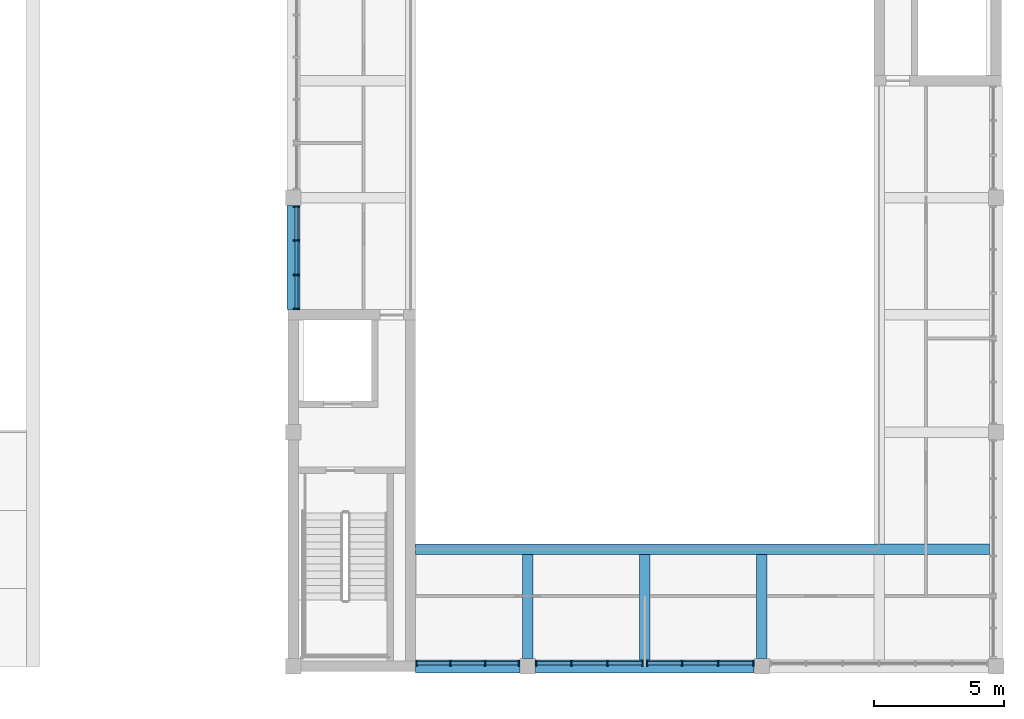
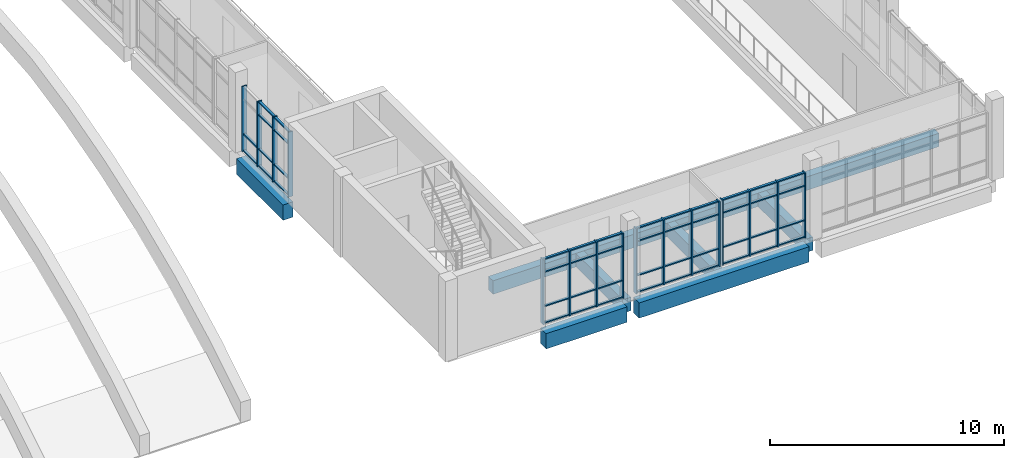
# One storey, part 4 of 88: 62 members, 7 beams, 4 elements without a shape of their own.
"""IFC4 building model written with IfcOpenShell, lengths in metres."""

from ifc_helpers import new_model, si_unit, direction, frame, origin, origin_2d, place, context, subcontext, project, spatial, rectangle, extrude, material, material_profile, profile_set, type_object, element, aggregate, save


model = new_model("IFC4")

# Units and contexts
model_context = context("Model", 3, precision=1e-05, world=origin(), true_north=direction((0.0, 1.0)))
body_context = subcontext(model_context, "Body", "Model", "MODEL_VIEW")
ifc_project = project(units=[si_unit("LENGTHUNIT", "METRE"), si_unit("AREAUNIT", "SQUARE_METRE"), si_unit("VOLUMEUNIT", "CUBIC_METRE"), si_unit("PLANEANGLEUNIT", "RADIAN"), si_unit("MASSUNIT", "GRAM", prefix="KILO")], contexts=[model_context])

# Site, building, storey
site_placement = place(None, origin())
site = spatial("IfcSite", under=ifc_project, at=site_placement, CompositionType="ELEMENT")
building_placement = place(site_placement, origin())
building = spatial("IfcBuilding", under=site, at=building_placement, Name="Merrow Basin Faculty of Sciences", CompositionType="ELEMENT")
storey_placement = place(building_placement, frame((0.0, 0.0, 9.0)))
storey = spatial("IfcBuildingStorey", under=building, at=storey_placement, Name="L02", CompositionType="ELEMENT", Elevation=9.0)

# Curtain wall, members
ifc_material_1 = material(Name="Aluminium alloy 6063", Category="aluminium")
curtain_wall_type = type_object("IfcCurtainWallType", Name="Atrium unitised curtain wall 240", PredefinedType="NOTDEFINED", material=ifc_material_1)
curtain_wall_1_placement = place(storey_placement, origin())
curtain_wall_1 = element("IfcCurtainWall", 1, at=curtain_wall_1_placement, inside=storey, type_object=curtain_wall_type, Name="W curtain wall L02 1", PredefinedType="NOTDEFINED")
ifc_material_2 = material(Name="Aluminium alloy 6063", Category="aluminium")
ifc_material_profile_1 = material_profile(ifc_material_2, rectangle(XDim=0.239990234375, YDim=0.06005859375, at=origin_2d()))
ifc_profile_set_1 = profile_set([ifc_material_profile_1], Name="Aluminium alloy 6063")
member_type_1 = type_object("IfcMemberType", Name="Aluminium mullion 60x240", PredefinedType="MULLION", material=ifc_profile_set_1)
member_1_placement = place(storey_placement, frame((45.1201171875, 13.72998046875, 0.0), z_axis=(0.0, 0.0, 1.0), x_axis=(-1.0, 0.0, 0.0)))
member_1 = element("IfcMember", 2, at=member_1_placement, type_object=member_type_1, Name="CW5 mullion 1", PredefinedType="MULLION", context=body_context, shape_type="SweptSolid", body=[
    extrude(rectangle(XDim=0.239990234375, YDim=0.06005859375, at=origin_2d()), origin(), (0.0, 0.0, 1.0), 3.39990234375),
])
member_2_placement = place(storey_placement, frame((45.1201171875, 15.033447265625, 0.0), z_axis=(0.0, 0.0, 1.0), x_axis=(-1.0, 0.0, 0.0)))
member_2 = element("IfcMember", 3, at=member_2_placement, type_object=member_type_1, Name="CW5 mullion 2", PredefinedType="MULLION", context=body_context, shape_type="SweptSolid", body=[
    extrude(rectangle(XDim=0.239990234375, YDim=0.06005859375, at=origin_2d()), origin(), (0.0, 0.0, 1.0), 3.39990234375),
])
member_3_placement = place(storey_placement, frame((45.1201171875, 16.36669921875, 0.0), z_axis=(0.0, 0.0, 1.0), x_axis=(-1.0, 0.0, 0.0)))
member_3 = element("IfcMember", 4, at=member_3_placement, type_object=member_type_1, Name="CW5 mullion 3", PredefinedType="MULLION", context=body_context, shape_type="SweptSolid", body=[
    extrude(rectangle(XDim=0.239990234375, YDim=0.06005859375, at=origin_2d()), origin(), (0.0, 0.0, 1.0), 3.39990234375),
])
member_4_placement = place(storey_placement, frame((45.1201171875, 17.669921875, 0.0), z_axis=(0.0, 0.0, 1.0), x_axis=(-1.0, 0.0, 0.0)))
member_4 = element("IfcMember", 5, at=member_4_placement, type_object=member_type_1, Name="CW5 mullion 4", PredefinedType="MULLION", context=body_context, shape_type="SweptSolid", body=[
    extrude(rectangle(XDim=0.239990234375, YDim=0.06005859375, at=origin_2d()), origin(), (0.0, 0.0, 1.0), 3.39990234375),
])

curtain_wall_2_placement = place(storey_placement, origin())
curtain_wall_2 = element("IfcCurtainWall", 6, at=curtain_wall_2_placement, inside=storey, type_object=curtain_wall_type, Name="S curtain wall L02 1", PredefinedType="NOTDEFINED")
member_5_placement = place(storey_placement, frame((49.72998046875, 0.1201171875, 0.0), z_axis=(0.0, 0.0, 1.0), x_axis=(0.0, 1.0, 0.0)))
member_5 = element("IfcMember", 7, at=member_5_placement, type_object=member_type_1, Name="CW5 mullion 1", PredefinedType="MULLION", context=body_context, shape_type="SweptSolid", body=[
    extrude(rectangle(XDim=0.239990234375, YDim=0.06005859375, at=origin_2d()), origin(), (0.0, 0.0, 1.0), 3.39990234375),
])
member_6_placement = place(storey_placement, frame((51.033447265625, 0.1201171875, 0.0), z_axis=(0.0, 0.0, 1.0), x_axis=(0.0, 1.0, 0.0)))
member_6 = element("IfcMember", 8, at=member_6_placement, type_object=member_type_1, Name="CW5 mullion 2", PredefinedType="MULLION", context=body_context, shape_type="SweptSolid", body=[
    extrude(rectangle(XDim=0.239990234375, YDim=0.06005859375, at=origin_2d()), origin(), (0.0, 0.0, 1.0), 3.39990234375),
])
member_7_placement = place(storey_placement, frame((52.36669921875, 0.1201171875, 0.0), z_axis=(0.0, 0.0, 1.0), x_axis=(0.0, 1.0, 0.0)))
member_7 = element("IfcMember", 9, at=member_7_placement, type_object=member_type_1, Name="CW5 mullion 3", PredefinedType="MULLION", context=body_context, shape_type="SweptSolid", body=[
    extrude(rectangle(XDim=0.239990234375, YDim=0.06005859375, at=origin_2d()), origin(), (0.0, 0.0, 1.0), 3.39990234375),
])
member_8_placement = place(storey_placement, frame((53.669921875, 0.1201171875, 0.0), z_axis=(0.0, 0.0, 1.0), x_axis=(0.0, 1.0, 0.0)))
member_8 = element("IfcMember", 10, at=member_8_placement, type_object=member_type_1, Name="CW5 mullion 4", PredefinedType="MULLION", context=body_context, shape_type="SweptSolid", body=[
    extrude(rectangle(XDim=0.239990234375, YDim=0.06005859375, at=origin_2d()), origin(), (0.0, 0.0, 1.0), 3.39990234375),
])

curtain_wall_3_placement = place(storey_placement, origin())
curtain_wall_3 = element("IfcCurtainWall", 11, at=curtain_wall_3_placement, inside=storey, type_object=curtain_wall_type, Name="S curtain wall L02 2", PredefinedType="NOTDEFINED")
member_9_placement = place(storey_placement, frame((54.330078125, 0.1201171875, 0.0), z_axis=(0.0, 0.0, 1.0), x_axis=(0.0, 1.0, 0.0)))
member_9 = element("IfcMember", 12, at=member_9_placement, type_object=member_type_1, Name="CW5 mullion 1", PredefinedType="MULLION", context=body_context, shape_type="SweptSolid", body=[
    extrude(rectangle(XDim=0.239990234375, YDim=0.06005859375, at=origin_2d()), origin(), (0.0, 0.0, 1.0), 3.39990234375),
])
member_10_placement = place(storey_placement, frame((55.683349609375, 0.1201171875, 0.0), z_axis=(0.0, 0.0, 1.0), x_axis=(0.0, 1.0, 0.0)))
member_10 = element("IfcMember", 13, at=member_10_placement, type_object=member_type_1, Name="CW5 mullion 2", PredefinedType="MULLION", context=body_context, shape_type="SweptSolid", body=[
    extrude(rectangle(XDim=0.239990234375, YDim=0.06005859375, at=origin_2d()), origin(), (0.0, 0.0, 1.0), 3.39990234375),
])
member_11_placement = place(storey_placement, frame((57.066650390625, 0.1201171875, 0.0), z_axis=(0.0, 0.0, 1.0), x_axis=(0.0, 1.0, 0.0)))
member_11 = element("IfcMember", 14, at=member_11_placement, type_object=member_type_1, Name="CW5 mullion 3", PredefinedType="MULLION", context=body_context, shape_type="SweptSolid", body=[
    extrude(rectangle(XDim=0.239990234375, YDim=0.06005859375, at=origin_2d()), origin(), (0.0, 0.0, 1.0), 3.39990234375),
])
member_12_placement = place(storey_placement, frame((58.419921875, 0.1201171875, 0.0), z_axis=(0.0, 0.0, 1.0), x_axis=(0.0, 1.0, 0.0)))
member_12 = element("IfcMember", 15, at=member_12_placement, type_object=member_type_1, Name="CW5 mullion 4", PredefinedType="MULLION", context=body_context, shape_type="SweptSolid", body=[
    extrude(rectangle(XDim=0.239990234375, YDim=0.06005859375, at=origin_2d()), origin(), (0.0, 0.0, 1.0), 3.39990234375),
])

curtain_wall_4_placement = place(storey_placement, origin())
curtain_wall_4 = element("IfcCurtainWall", 16, at=curtain_wall_4_placement, inside=storey, type_object=curtain_wall_type, Name="S curtain wall L02 3", PredefinedType="NOTDEFINED")
member_13_placement = place(storey_placement, frame((58.580078125, 0.1201171875, 0.0), z_axis=(0.0, 0.0, 1.0), x_axis=(0.0, 1.0, 0.0)))
member_13 = element("IfcMember", 17, at=member_13_placement, type_object=member_type_1, Name="CW5 mullion 1", PredefinedType="MULLION", context=body_context, shape_type="SweptSolid", body=[
    extrude(rectangle(XDim=0.239990234375, YDim=0.06005859375, at=origin_2d()), origin(), (0.0, 0.0, 1.0), 3.39990234375),
])
member_14_placement = place(storey_placement, frame((59.933349609375, 0.1201171875, 0.0), z_axis=(0.0, 0.0, 1.0), x_axis=(0.0, 1.0, 0.0)))
member_14 = element("IfcMember", 18, at=member_14_placement, type_object=member_type_1, Name="CW5 mullion 2", PredefinedType="MULLION", context=body_context, shape_type="SweptSolid", body=[
    extrude(rectangle(XDim=0.239990234375, YDim=0.06005859375, at=origin_2d()), origin(), (0.0, 0.0, 1.0), 3.39990234375),
])
member_15_placement = place(storey_placement, frame((61.316650390625, 0.1201171875, 0.0), z_axis=(0.0, 0.0, 1.0), x_axis=(0.0, 1.0, 0.0)))
member_15 = element("IfcMember", 19, at=member_15_placement, type_object=member_type_1, Name="CW5 mullion 3", PredefinedType="MULLION", context=body_context, shape_type="SweptSolid", body=[
    extrude(rectangle(XDim=0.239990234375, YDim=0.06005859375, at=origin_2d()), origin(), (0.0, 0.0, 1.0), 3.39990234375),
])
member_16_placement = place(storey_placement, frame((62.669921875, 0.1201171875, 0.0), z_axis=(0.0, 0.0, 1.0), x_axis=(0.0, 1.0, 0.0)))
member_16 = element("IfcMember", 20, at=member_16_placement, type_object=member_type_1, Name="CW5 mullion 4", PredefinedType="MULLION", context=body_context, shape_type="SweptSolid", body=[
    extrude(rectangle(XDim=0.239990234375, YDim=0.06005859375, at=origin_2d()), origin(), (0.0, 0.0, 1.0), 3.39990234375),
])

# Member
ifc_material_3 = material(Name="Aluminium alloy 6063", Category="aluminium")
ifc_material_profile_2 = material_profile(ifc_material_3, rectangle(XDim=0.1201171875, YDim=0.06005859375, at=origin_2d()))
ifc_profile_set_2 = profile_set([ifc_material_profile_2], Name="Aluminium alloy 6063")
member_type_2 = type_object("IfcMemberType", Name="Aluminium transom 60x120", PredefinedType="USERDEFINED", material=ifc_profile_set_2)
member_17_placement = place(storey_placement, frame((45.1201171875, 13.760009765625, 0.030029296875), z_axis=(0.0, 1.0, 0.0), x_axis=(-1.0, 0.0, 0.0)))
member_17 = element("IfcMember", 21, at=member_17_placement, type_object=member_type_2, Name="CW5 transom 1.1", ObjectType="TRANSOM", PredefinedType="USERDEFINED", context=body_context, shape_type="SweptSolid", body=[
    extrude(rectangle(XDim=0.1201171875, YDim=0.06005859375, at=origin_2d()), origin(), (0.0, 0.0, 1.0), 1.243408203125),
])

member_18_placement = place(storey_placement, frame((45.1201171875, 13.760009765625, 0.89990234375), z_axis=(0.0, 1.0, 0.0), x_axis=(-1.0, 0.0, 0.0)))
member_18 = element("IfcMember", 22, at=member_18_placement, type_object=member_type_2, Name="CW5 transom 1.2", ObjectType="TRANSOM", PredefinedType="USERDEFINED", context=body_context, shape_type="SweptSolid", body=[
    extrude(rectangle(XDim=0.1201171875, YDim=0.06005859375, at=origin_2d()), origin(), (0.0, 0.0, 1.0), 1.243408203125),
])

member_19_placement = place(storey_placement, frame((45.1201171875, 13.760009765625, 2.699951171875), z_axis=(0.0, 1.0, 0.0), x_axis=(-1.0, 0.0, 0.0)))
member_19 = element("IfcMember", 23, at=member_19_placement, type_object=member_type_2, Name="CW5 transom 1.3", ObjectType="TRANSOM", PredefinedType="USERDEFINED", context=body_context, shape_type="SweptSolid", body=[
    extrude(rectangle(XDim=0.1201171875, YDim=0.06005859375, at=origin_2d()), origin(), (0.0, 0.0, 1.0), 1.243408203125),
])

member_20_placement = place(storey_placement, frame((45.1201171875, 13.760009765625, 3.3701171875), z_axis=(0.0, 1.0, 0.0), x_axis=(-1.0, 0.0, 0.0)))
member_20 = element("IfcMember", 24, at=member_20_placement, type_object=member_type_2, Name="CW5 transom 1.4", ObjectType="TRANSOM", PredefinedType="USERDEFINED", context=body_context, shape_type="SweptSolid", body=[
    extrude(rectangle(XDim=0.1201171875, YDim=0.06005859375, at=origin_2d()), origin(), (0.0, 0.0, 1.0), 1.243408203125),
])

member_21_placement = place(storey_placement, frame((45.1201171875, 15.063232421875, 0.030029296875), z_axis=(0.0, 1.0, 0.0), x_axis=(-1.0, 0.0, 0.0)))
member_21 = element("IfcMember", 25, at=member_21_placement, type_object=member_type_2, Name="CW5 transom 2.1", ObjectType="TRANSOM", PredefinedType="USERDEFINED", context=body_context, shape_type="SweptSolid", body=[
    extrude(rectangle(XDim=0.1201171875, YDim=0.06005859375, at=origin_2d()), origin(), (0.0, 0.0, 1.0), 1.2734375),
])

member_22_placement = place(storey_placement, frame((45.1201171875, 15.063232421875, 0.89990234375), z_axis=(0.0, 1.0, 0.0), x_axis=(-1.0, 0.0, 0.0)))
member_22 = element("IfcMember", 26, at=member_22_placement, type_object=member_type_2, Name="CW5 transom 2.2", ObjectType="TRANSOM", PredefinedType="USERDEFINED", context=body_context, shape_type="SweptSolid", body=[
    extrude(rectangle(XDim=0.1201171875, YDim=0.06005859375, at=origin_2d()), origin(), (0.0, 0.0, 1.0), 1.2734375),
])

member_23_placement = place(storey_placement, frame((45.1201171875, 15.063232421875, 2.699951171875), z_axis=(0.0, 1.0, 0.0), x_axis=(-1.0, 0.0, 0.0)))
member_23 = element("IfcMember", 27, at=member_23_placement, type_object=member_type_2, Name="CW5 transom 2.3", ObjectType="TRANSOM", PredefinedType="USERDEFINED", context=body_context, shape_type="SweptSolid", body=[
    extrude(rectangle(XDim=0.1201171875, YDim=0.06005859375, at=origin_2d()), origin(), (0.0, 0.0, 1.0), 1.2734375),
])

member_24_placement = place(storey_placement, frame((45.1201171875, 15.063232421875, 3.3701171875), z_axis=(0.0, 1.0, 0.0), x_axis=(-1.0, 0.0, 0.0)))
member_24 = element("IfcMember", 28, at=member_24_placement, type_object=member_type_2, Name="CW5 transom 2.4", ObjectType="TRANSOM", PredefinedType="USERDEFINED", context=body_context, shape_type="SweptSolid", body=[
    extrude(rectangle(XDim=0.1201171875, YDim=0.06005859375, at=origin_2d()), origin(), (0.0, 0.0, 1.0), 1.2734375),
])

member_25_placement = place(storey_placement, frame((45.1201171875, 16.396728515625, 0.030029296875), z_axis=(0.0, 1.0, 0.0), x_axis=(-1.0, 0.0, 0.0)))
member_25 = element("IfcMember", 29, at=member_25_placement, type_object=member_type_2, Name="CW5 transom 3.1", ObjectType="TRANSOM", PredefinedType="USERDEFINED", context=body_context, shape_type="SweptSolid", body=[
    extrude(rectangle(XDim=0.1201171875, YDim=0.06005859375, at=origin_2d()), origin(), (0.0, 0.0, 1.0), 1.2431640625),
])

member_26_placement = place(storey_placement, frame((45.1201171875, 16.396728515625, 0.89990234375), z_axis=(0.0, 1.0, 0.0), x_axis=(-1.0, 0.0, 0.0)))
member_26 = element("IfcMember", 30, at=member_26_placement, type_object=member_type_2, Name="CW5 transom 3.2", ObjectType="TRANSOM", PredefinedType="USERDEFINED", context=body_context, shape_type="SweptSolid", body=[
    extrude(rectangle(XDim=0.1201171875, YDim=0.06005859375, at=origin_2d()), origin(), (0.0, 0.0, 1.0), 1.2431640625),
])

aggregate(curtain_wall_1, [member_1, member_2, member_3, member_4, member_17, member_18, member_19, member_20, member_21, member_22, member_23, member_24, member_25, member_26])

member_27_placement = place(storey_placement, frame((49.760009765625, 0.1201171875, 0.030029296875), z_axis=(1.0, 0.0, 0.0), x_axis=(0.0, 1.0, 0.0)))
member_27 = element("IfcMember", 31, at=member_27_placement, type_object=member_type_2, Name="CW5 transom 1.1", ObjectType="TRANSOM", PredefinedType="USERDEFINED", context=body_context, shape_type="SweptSolid", body=[
    extrude(rectangle(XDim=0.1201171875, YDim=0.06005859375, at=origin_2d()), origin(), (0.0, 0.0, 1.0), 1.243408203125),
])

member_28_placement = place(storey_placement, frame((49.760009765625, 0.1201171875, 0.89990234375), z_axis=(1.0, 0.0, 0.0), x_axis=(0.0, 1.0, 0.0)))
member_28 = element("IfcMember", 32, at=member_28_placement, type_object=member_type_2, Name="CW5 transom 1.2", ObjectType="TRANSOM", PredefinedType="USERDEFINED", context=body_context, shape_type="SweptSolid", body=[
    extrude(rectangle(XDim=0.1201171875, YDim=0.06005859375, at=origin_2d()), origin(), (0.0, 0.0, 1.0), 1.243408203125),
])

member_29_placement = place(storey_placement, frame((49.760009765625, 0.1201171875, 2.699951171875), z_axis=(1.0, 0.0, 0.0), x_axis=(0.0, 1.0, 0.0)))
member_29 = element("IfcMember", 33, at=member_29_placement, type_object=member_type_2, Name="CW5 transom 1.3", ObjectType="TRANSOM", PredefinedType="USERDEFINED", context=body_context, shape_type="SweptSolid", body=[
    extrude(rectangle(XDim=0.1201171875, YDim=0.06005859375, at=origin_2d()), origin(), (0.0, 0.0, 1.0), 1.243408203125),
])

member_30_placement = place(storey_placement, frame((49.760009765625, 0.1201171875, 3.3701171875), z_axis=(1.0, 0.0, 0.0), x_axis=(0.0, 1.0, 0.0)))
member_30 = element("IfcMember", 34, at=member_30_placement, type_object=member_type_2, Name="CW5 transom 1.4", ObjectType="TRANSOM", PredefinedType="USERDEFINED", context=body_context, shape_type="SweptSolid", body=[
    extrude(rectangle(XDim=0.1201171875, YDim=0.06005859375, at=origin_2d()), origin(), (0.0, 0.0, 1.0), 1.243408203125),
])

member_31_placement = place(storey_placement, frame((51.063232421875, 0.1201171875, 0.030029296875), z_axis=(1.0, 0.0, 0.0), x_axis=(0.0, 1.0, 0.0)))
member_31 = element("IfcMember", 35, at=member_31_placement, type_object=member_type_2, Name="CW5 transom 2.1", ObjectType="TRANSOM", PredefinedType="USERDEFINED", context=body_context, shape_type="SweptSolid", body=[
    extrude(rectangle(XDim=0.1201171875, YDim=0.06005859375, at=origin_2d()), origin(), (0.0, 0.0, 1.0), 1.2734375),
])

member_32_placement = place(storey_placement, frame((51.063232421875, 0.1201171875, 0.89990234375), z_axis=(1.0, 0.0, 0.0), x_axis=(0.0, 1.0, 0.0)))
member_32 = element("IfcMember", 36, at=member_32_placement, type_object=member_type_2, Name="CW5 transom 2.2", ObjectType="TRANSOM", PredefinedType="USERDEFINED", context=body_context, shape_type="SweptSolid", body=[
    extrude(rectangle(XDim=0.1201171875, YDim=0.06005859375, at=origin_2d()), origin(), (0.0, 0.0, 1.0), 1.2734375),
])

member_33_placement = place(storey_placement, frame((51.063232421875, 0.1201171875, 2.699951171875), z_axis=(1.0, 0.0, 0.0), x_axis=(0.0, 1.0, 0.0)))
member_33 = element("IfcMember", 37, at=member_33_placement, type_object=member_type_2, Name="CW5 transom 2.3", ObjectType="TRANSOM", PredefinedType="USERDEFINED", context=body_context, shape_type="SweptSolid", body=[
    extrude(rectangle(XDim=0.1201171875, YDim=0.06005859375, at=origin_2d()), origin(), (0.0, 0.0, 1.0), 1.2734375),
])

member_34_placement = place(storey_placement, frame((51.063232421875, 0.1201171875, 3.3701171875), z_axis=(1.0, 0.0, 0.0), x_axis=(0.0, 1.0, 0.0)))
member_34 = element("IfcMember", 38, at=member_34_placement, type_object=member_type_2, Name="CW5 transom 2.4", ObjectType="TRANSOM", PredefinedType="USERDEFINED", context=body_context, shape_type="SweptSolid", body=[
    extrude(rectangle(XDim=0.1201171875, YDim=0.06005859375, at=origin_2d()), origin(), (0.0, 0.0, 1.0), 1.2734375),
])

member_35_placement = place(storey_placement, frame((52.396728515625, 0.1201171875, 0.030029296875), z_axis=(1.0, 0.0, 0.0), x_axis=(0.0, 1.0, 0.0)))
member_35 = element("IfcMember", 39, at=member_35_placement, type_object=member_type_2, Name="CW5 transom 3.1", ObjectType="TRANSOM", PredefinedType="USERDEFINED", context=body_context, shape_type="SweptSolid", body=[
    extrude(rectangle(XDim=0.1201171875, YDim=0.06005859375, at=origin_2d()), origin(), (0.0, 0.0, 1.0), 1.2431640625),
])

member_36_placement = place(storey_placement, frame((52.396728515625, 0.1201171875, 0.89990234375), z_axis=(1.0, 0.0, 0.0), x_axis=(0.0, 1.0, 0.0)))
member_36 = element("IfcMember", 40, at=member_36_placement, type_object=member_type_2, Name="CW5 transom 3.2", ObjectType="TRANSOM", PredefinedType="USERDEFINED", context=body_context, shape_type="SweptSolid", body=[
    extrude(rectangle(XDim=0.1201171875, YDim=0.06005859375, at=origin_2d()), origin(), (0.0, 0.0, 1.0), 1.2431640625),
])

member_37_placement = place(storey_placement, frame((52.396728515625, 0.1201171875, 2.699951171875), z_axis=(1.0, 0.0, 0.0), x_axis=(0.0, 1.0, 0.0)))
member_37 = element("IfcMember", 41, at=member_37_placement, type_object=member_type_2, Name="CW5 transom 3.3", ObjectType="TRANSOM", PredefinedType="USERDEFINED", context=body_context, shape_type="SweptSolid", body=[
    extrude(rectangle(XDim=0.1201171875, YDim=0.06005859375, at=origin_2d()), origin(), (0.0, 0.0, 1.0), 1.2431640625),
])

member_38_placement = place(storey_placement, frame((52.396728515625, 0.1201171875, 3.3701171875), z_axis=(1.0, 0.0, 0.0), x_axis=(0.0, 1.0, 0.0)))
member_38 = element("IfcMember", 42, at=member_38_placement, type_object=member_type_2, Name="CW5 transom 3.4", ObjectType="TRANSOM", PredefinedType="USERDEFINED", context=body_context, shape_type="SweptSolid", body=[
    extrude(rectangle(XDim=0.1201171875, YDim=0.06005859375, at=origin_2d()), origin(), (0.0, 0.0, 1.0), 1.2431640625),
])

aggregate(curtain_wall_2, [member_5, member_6, member_7, member_8, member_27, member_28, member_29, member_30, member_31, member_32, member_33, member_34, member_35, member_36, member_37, member_38])

member_39_placement = place(storey_placement, frame((54.360107421875, 0.1201171875, 0.030029296875), z_axis=(1.0, 0.0, 0.0), x_axis=(0.0, 1.0, 0.0)))
member_39 = element("IfcMember", 43, at=member_39_placement, type_object=member_type_2, Name="CW5 transom 1.1", ObjectType="TRANSOM", PredefinedType="USERDEFINED", context=body_context, shape_type="SweptSolid", body=[
    extrude(rectangle(XDim=0.1201171875, YDim=0.06005859375, at=origin_2d()), origin(), (0.0, 0.0, 1.0), 1.293212890625),
])

member_40_placement = place(storey_placement, frame((54.360107421875, 0.1201171875, 0.89990234375), z_axis=(1.0, 0.0, 0.0), x_axis=(0.0, 1.0, 0.0)))
member_40 = element("IfcMember", 44, at=member_40_placement, type_object=member_type_2, Name="CW5 transom 1.2", ObjectType="TRANSOM", PredefinedType="USERDEFINED", context=body_context, shape_type="SweptSolid", body=[
    extrude(rectangle(XDim=0.1201171875, YDim=0.06005859375, at=origin_2d()), origin(), (0.0, 0.0, 1.0), 1.293212890625),
])

member_41_placement = place(storey_placement, frame((54.360107421875, 0.1201171875, 2.699951171875), z_axis=(1.0, 0.0, 0.0), x_axis=(0.0, 1.0, 0.0)))
member_41 = element("IfcMember", 45, at=member_41_placement, type_object=member_type_2, Name="CW5 transom 1.3", ObjectType="TRANSOM", PredefinedType="USERDEFINED", context=body_context, shape_type="SweptSolid", body=[
    extrude(rectangle(XDim=0.1201171875, YDim=0.06005859375, at=origin_2d()), origin(), (0.0, 0.0, 1.0), 1.293212890625),
])

member_42_placement = place(storey_placement, frame((54.360107421875, 0.1201171875, 3.3701171875), z_axis=(1.0, 0.0, 0.0), x_axis=(0.0, 1.0, 0.0)))
member_42 = element("IfcMember", 46, at=member_42_placement, type_object=member_type_2, Name="CW5 transom 1.4", ObjectType="TRANSOM", PredefinedType="USERDEFINED", context=body_context, shape_type="SweptSolid", body=[
    extrude(rectangle(XDim=0.1201171875, YDim=0.06005859375, at=origin_2d()), origin(), (0.0, 0.0, 1.0), 1.293212890625),
])

member_43_placement = place(storey_placement, frame((55.71337890625, 0.1201171875, 0.030029296875), z_axis=(1.0, 0.0, 0.0), x_axis=(0.0, 1.0, 0.0)))
member_43 = element("IfcMember", 47, at=member_43_placement, type_object=member_type_2, Name="CW5 transom 2.1", ObjectType="TRANSOM", PredefinedType="USERDEFINED", context=body_context, shape_type="SweptSolid", body=[
    extrude(rectangle(XDim=0.1201171875, YDim=0.06005859375, at=origin_2d()), origin(), (0.0, 0.0, 1.0), 1.3232421875),
])

member_44_placement = place(storey_placement, frame((55.71337890625, 0.1201171875, 0.89990234375), z_axis=(1.0, 0.0, 0.0), x_axis=(0.0, 1.0, 0.0)))
member_44 = element("IfcMember", 48, at=member_44_placement, type_object=member_type_2, Name="CW5 transom 2.2", ObjectType="TRANSOM", PredefinedType="USERDEFINED", context=body_context, shape_type="SweptSolid", body=[
    extrude(rectangle(XDim=0.1201171875, YDim=0.06005859375, at=origin_2d()), origin(), (0.0, 0.0, 1.0), 1.3232421875),
])

member_45_placement = place(storey_placement, frame((55.71337890625, 0.1201171875, 2.699951171875), z_axis=(1.0, 0.0, 0.0), x_axis=(0.0, 1.0, 0.0)))
member_45 = element("IfcMember", 49, at=member_45_placement, type_object=member_type_2, Name="CW5 transom 2.3", ObjectType="TRANSOM", PredefinedType="USERDEFINED", context=body_context, shape_type="SweptSolid", body=[
    extrude(rectangle(XDim=0.1201171875, YDim=0.06005859375, at=origin_2d()), origin(), (0.0, 0.0, 1.0), 1.3232421875),
])

member_46_placement = place(storey_placement, frame((55.71337890625, 0.1201171875, 3.3701171875), z_axis=(1.0, 0.0, 0.0), x_axis=(0.0, 1.0, 0.0)))
member_46 = element("IfcMember", 50, at=member_46_placement, type_object=member_type_2, Name="CW5 transom 2.4", ObjectType="TRANSOM", PredefinedType="USERDEFINED", context=body_context, shape_type="SweptSolid", body=[
    extrude(rectangle(XDim=0.1201171875, YDim=0.06005859375, at=origin_2d()), origin(), (0.0, 0.0, 1.0), 1.3232421875),
])

member_47_placement = place(storey_placement, frame((57.0966796875, 0.1201171875, 0.030029296875), z_axis=(1.0, 0.0, 0.0), x_axis=(0.0, 1.0, 0.0)))
member_47 = element("IfcMember", 51, at=member_47_placement, type_object=member_type_2, Name="CW5 transom 3.1", ObjectType="TRANSOM", PredefinedType="USERDEFINED", context=body_context, shape_type="SweptSolid", body=[
    extrude(rectangle(XDim=0.1201171875, YDim=0.06005859375, at=origin_2d()), origin(), (0.0, 0.0, 1.0), 1.293212890625),
])

member_48_placement = place(storey_placement, frame((57.0966796875, 0.1201171875, 0.89990234375), z_axis=(1.0, 0.0, 0.0), x_axis=(0.0, 1.0, 0.0)))
member_48 = element("IfcMember", 52, at=member_48_placement, type_object=member_type_2, Name="CW5 transom 3.2", ObjectType="TRANSOM", PredefinedType="USERDEFINED", context=body_context, shape_type="SweptSolid", body=[
    extrude(rectangle(XDim=0.1201171875, YDim=0.06005859375, at=origin_2d()), origin(), (0.0, 0.0, 1.0), 1.293212890625),
])

member_49_placement = place(storey_placement, frame((57.0966796875, 0.1201171875, 2.699951171875), z_axis=(1.0, 0.0, 0.0), x_axis=(0.0, 1.0, 0.0)))
member_49 = element("IfcMember", 53, at=member_49_placement, type_object=member_type_2, Name="CW5 transom 3.3", ObjectType="TRANSOM", PredefinedType="USERDEFINED", context=body_context, shape_type="SweptSolid", body=[
    extrude(rectangle(XDim=0.1201171875, YDim=0.06005859375, at=origin_2d()), origin(), (0.0, 0.0, 1.0), 1.293212890625),
])

member_50_placement = place(storey_placement, frame((57.0966796875, 0.1201171875, 3.3701171875), z_axis=(1.0, 0.0, 0.0), x_axis=(0.0, 1.0, 0.0)))
member_50 = element("IfcMember", 54, at=member_50_placement, type_object=member_type_2, Name="CW5 transom 3.4", ObjectType="TRANSOM", PredefinedType="USERDEFINED", context=body_context, shape_type="SweptSolid", body=[
    extrude(rectangle(XDim=0.1201171875, YDim=0.06005859375, at=origin_2d()), origin(), (0.0, 0.0, 1.0), 1.293212890625),
])

aggregate(curtain_wall_3, [member_9, member_10, member_11, member_12, member_39, member_40, member_41, member_42, member_43, member_44, member_45, member_46, member_47, member_48, member_49, member_50])

member_51_placement = place(storey_placement, frame((58.610107421875, 0.1201171875, 0.030029296875), z_axis=(1.0, 0.0, 0.0), x_axis=(0.0, 1.0, 0.0)))
member_51 = element("IfcMember", 55, at=member_51_placement, type_object=member_type_2, Name="CW5 transom 1.1", ObjectType="TRANSOM", PredefinedType="USERDEFINED", context=body_context, shape_type="SweptSolid", body=[
    extrude(rectangle(XDim=0.1201171875, YDim=0.06005859375, at=origin_2d()), origin(), (0.0, 0.0, 1.0), 1.293212890625),
])

member_52_placement = place(storey_placement, frame((58.610107421875, 0.1201171875, 0.89990234375), z_axis=(1.0, 0.0, 0.0), x_axis=(0.0, 1.0, 0.0)))
member_52 = element("IfcMember", 56, at=member_52_placement, type_object=member_type_2, Name="CW5 transom 1.2", ObjectType="TRANSOM", PredefinedType="USERDEFINED", context=body_context, shape_type="SweptSolid", body=[
    extrude(rectangle(XDim=0.1201171875, YDim=0.06005859375, at=origin_2d()), origin(), (0.0, 0.0, 1.0), 1.293212890625),
])

member_53_placement = place(storey_placement, frame((58.610107421875, 0.1201171875, 2.699951171875), z_axis=(1.0, 0.0, 0.0), x_axis=(0.0, 1.0, 0.0)))
member_53 = element("IfcMember", 57, at=member_53_placement, type_object=member_type_2, Name="CW5 transom 1.3", ObjectType="TRANSOM", PredefinedType="USERDEFINED", context=body_context, shape_type="SweptSolid", body=[
    extrude(rectangle(XDim=0.1201171875, YDim=0.06005859375, at=origin_2d()), origin(), (0.0, 0.0, 1.0), 1.293212890625),
])

member_54_placement = place(storey_placement, frame((58.610107421875, 0.1201171875, 3.3701171875), z_axis=(1.0, 0.0, 0.0), x_axis=(0.0, 1.0, 0.0)))
member_54 = element("IfcMember", 58, at=member_54_placement, type_object=member_type_2, Name="CW5 transom 1.4", ObjectType="TRANSOM", PredefinedType="USERDEFINED", context=body_context, shape_type="SweptSolid", body=[
    extrude(rectangle(XDim=0.1201171875, YDim=0.06005859375, at=origin_2d()), origin(), (0.0, 0.0, 1.0), 1.293212890625),
])

member_55_placement = place(storey_placement, frame((59.96337890625, 0.1201171875, 0.030029296875), z_axis=(1.0, 0.0, 0.0), x_axis=(0.0, 1.0, 0.0)))
member_55 = element("IfcMember", 59, at=member_55_placement, type_object=member_type_2, Name="CW5 transom 2.1", ObjectType="TRANSOM", PredefinedType="USERDEFINED", context=body_context, shape_type="SweptSolid", body=[
    extrude(rectangle(XDim=0.1201171875, YDim=0.06005859375, at=origin_2d()), origin(), (0.0, 0.0, 1.0), 1.3232421875),
])

member_56_placement = place(storey_placement, frame((59.96337890625, 0.1201171875, 0.89990234375), z_axis=(1.0, 0.0, 0.0), x_axis=(0.0, 1.0, 0.0)))
member_56 = element("IfcMember", 60, at=member_56_placement, type_object=member_type_2, Name="CW5 transom 2.2", ObjectType="TRANSOM", PredefinedType="USERDEFINED", context=body_context, shape_type="SweptSolid", body=[
    extrude(rectangle(XDim=0.1201171875, YDim=0.06005859375, at=origin_2d()), origin(), (0.0, 0.0, 1.0), 1.3232421875),
])

member_57_placement = place(storey_placement, frame((59.96337890625, 0.1201171875, 2.699951171875), z_axis=(1.0, 0.0, 0.0), x_axis=(0.0, 1.0, 0.0)))
member_57 = element("IfcMember", 61, at=member_57_placement, type_object=member_type_2, Name="CW5 transom 2.3", ObjectType="TRANSOM", PredefinedType="USERDEFINED", context=body_context, shape_type="SweptSolid", body=[
    extrude(rectangle(XDim=0.1201171875, YDim=0.06005859375, at=origin_2d()), origin(), (0.0, 0.0, 1.0), 1.3232421875),
])

member_58_placement = place(storey_placement, frame((59.96337890625, 0.1201171875, 3.3701171875), z_axis=(1.0, 0.0, 0.0), x_axis=(0.0, 1.0, 0.0)))
member_58 = element("IfcMember", 62, at=member_58_placement, type_object=member_type_2, Name="CW5 transom 2.4", ObjectType="TRANSOM", PredefinedType="USERDEFINED", context=body_context, shape_type="SweptSolid", body=[
    extrude(rectangle(XDim=0.1201171875, YDim=0.06005859375, at=origin_2d()), origin(), (0.0, 0.0, 1.0), 1.3232421875),
])

member_59_placement = place(storey_placement, frame((61.3466796875, 0.1201171875, 0.030029296875), z_axis=(1.0, 0.0, 0.0), x_axis=(0.0, 1.0, 0.0)))
member_59 = element("IfcMember", 63, at=member_59_placement, type_object=member_type_2, Name="CW5 transom 3.1", ObjectType="TRANSOM", PredefinedType="USERDEFINED", context=body_context, shape_type="SweptSolid", body=[
    extrude(rectangle(XDim=0.1201171875, YDim=0.06005859375, at=origin_2d()), origin(), (0.0, 0.0, 1.0), 1.293212890625),
])

member_60_placement = place(storey_placement, frame((61.3466796875, 0.1201171875, 0.89990234375), z_axis=(1.0, 0.0, 0.0), x_axis=(0.0, 1.0, 0.0)))
member_60 = element("IfcMember", 64, at=member_60_placement, type_object=member_type_2, Name="CW5 transom 3.2", ObjectType="TRANSOM", PredefinedType="USERDEFINED", context=body_context, shape_type="SweptSolid", body=[
    extrude(rectangle(XDim=0.1201171875, YDim=0.06005859375, at=origin_2d()), origin(), (0.0, 0.0, 1.0), 1.293212890625),
])

member_61_placement = place(storey_placement, frame((61.3466796875, 0.1201171875, 2.699951171875), z_axis=(1.0, 0.0, 0.0), x_axis=(0.0, 1.0, 0.0)))
member_61 = element("IfcMember", 65, at=member_61_placement, type_object=member_type_2, Name="CW5 transom 3.3", ObjectType="TRANSOM", PredefinedType="USERDEFINED", context=body_context, shape_type="SweptSolid", body=[
    extrude(rectangle(XDim=0.1201171875, YDim=0.06005859375, at=origin_2d()), origin(), (0.0, 0.0, 1.0), 1.293212890625),
])

member_62_placement = place(storey_placement, frame((61.3466796875, 0.1201171875, 3.3701171875), z_axis=(1.0, 0.0, 0.0), x_axis=(0.0, 1.0, 0.0)))
member_62 = element("IfcMember", 66, at=member_62_placement, type_object=member_type_2, Name="CW5 transom 3.4", ObjectType="TRANSOM", PredefinedType="USERDEFINED", context=body_context, shape_type="SweptSolid", body=[
    extrude(rectangle(XDim=0.1201171875, YDim=0.06005859375, at=origin_2d()), origin(), (0.0, 0.0, 1.0), 1.293212890625),
])

aggregate(curtain_wall_4, [member_13, member_14, member_15, member_16, member_51, member_52, member_53, member_54, member_55, member_56, member_57, member_58, member_59, member_60, member_61, member_62])

# Beams
ifc_material_4 = material(Name="Concrete C40/50", Category="concrete")
ifc_material_profile_3 = material_profile(ifc_material_4, rectangle(XDim=0.5, YDim=0.800048828125, at=origin_2d()))
ifc_profile_set_3 = profile_set([ifc_material_profile_3], Name="Concrete C40/50")
beam_type_1 = type_object("IfcBeamType", Name="Beam RC500x800 C40/50", PredefinedType="BEAM", material=ifc_profile_set_3)
beam_1_placement = place(storey_placement, frame((49.699951171875, 0.0, -0.699951171875), z_axis=(1.0, 0.0, 0.0), x_axis=(0.0, 1.0, 0.0)))
element("IfcBeam", 67, at=beam_1_placement, inside=storey, type_object=beam_type_1, Name="B4 L02 001", PredefinedType="BEAM", context=body_context, shape_type="SweptSolid", body=[
    extrude(rectangle(XDim=0.5, YDim=0.800048828125, at=origin_2d()), origin(), (0.0, 0.0, 1.0), 4.0),
])
beam_2_placement = place(storey_placement, frame((54.300048828125, 0.0, -0.699951171875), z_axis=(1.0, 0.0, 0.0), x_axis=(0.0, 1.0, 0.0)))
element("IfcBeam", 68, at=beam_2_placement, inside=storey, type_object=beam_type_1, Name="B4 L02 002", PredefinedType="BEAM", context=body_context, shape_type="SweptSolid", body=[
    extrude(rectangle(XDim=0.5, YDim=0.800048828125, at=origin_2d()), origin(), (0.0, 0.0, 1.0), 8.39990234375),
])
beam_3_placement = place(storey_placement, frame((45.0, 13.699951171875, -0.699951171875), z_axis=(0.0, 1.0, 0.0), x_axis=(-1.0, 0.0, 0.0)))
element("IfcBeam", 69, at=beam_3_placement, inside=storey, type_object=beam_type_1, Name="B4 L02 007", PredefinedType="BEAM", context=body_context, shape_type="SweptSolid", body=[
    extrude(rectangle(XDim=0.5, YDim=0.800048828125, at=origin_2d()), origin(), (0.0, 0.0, 1.0), 4.0),
])
ifc_material_5 = material(Name="Concrete C40/50", Category="concrete")
ifc_material_profile_4 = material_profile(ifc_material_5, rectangle(XDim=0.39990234375, YDim=0.699951171875, at=origin_2d()))
ifc_profile_set_4 = profile_set([ifc_material_profile_4], Name="Concrete C40/50")
beam_type_2 = type_object("IfcBeamType", Name="Gallery edge beam RC400x700 C40/50", PredefinedType="BEAM", material=ifc_profile_set_4)
beam_4_placement = place(storey_placement, frame((49.699951171875, 4.5, -0.64990234375), z_axis=(1.0, 0.0, 0.0), x_axis=(0.0, 1.0, 0.0)))
element("IfcBeam", 70, at=beam_4_placement, inside=storey, type_object=beam_type_2, Name="GB1 L02 013", PredefinedType="BEAM", context=body_context, shape_type="SweptSolid", body=[
    extrude(rectangle(XDim=0.39990234375, YDim=0.699951171875, at=origin_2d()), origin(), (0.0, 0.0, 1.0), 22.050048828125),
])
beam_5_placement = place(storey_placement, frame((54.0, 0.300048828125, -0.64990234375), z_axis=(0.0, 1.0, 0.0), x_axis=(-1.0, 0.0, 0.0)))
element("IfcBeam", 71, at=beam_5_placement, inside=storey, type_object=beam_type_2, Name="GB1 L02 019", PredefinedType="BEAM", context=body_context, shape_type="SweptSolid", body=[
    extrude(rectangle(XDim=0.39990234375, YDim=0.699951171875, at=origin_2d()), origin(), (0.0, 0.0, 1.0), 4.0),
])
beam_6_placement = place(storey_placement, frame((58.5, 0.25, -0.64990234375), z_axis=(0.0, 1.0, 0.0), x_axis=(-1.0, 0.0, 0.0)))
element("IfcBeam", 72, at=beam_6_placement, inside=storey, type_object=beam_type_2, Name="GB1 L02 021", PredefinedType="BEAM", context=body_context, shape_type="SweptSolid", body=[
    extrude(rectangle(XDim=0.39990234375, YDim=0.699951171875, at=origin_2d()), origin(), (0.0, 0.0, 1.0), 4.050048828125),
])
beam_7_placement = place(storey_placement, frame((63.0, 0.300048828125, -0.64990234375), z_axis=(0.0, 1.0, 0.0), x_axis=(-1.0, 0.0, 0.0)))
element("IfcBeam", 73, at=beam_7_placement, inside=storey, type_object=beam_type_2, Name="GB1 L02 023", PredefinedType="BEAM", context=body_context, shape_type="SweptSolid", body=[
    extrude(rectangle(XDim=0.39990234375, YDim=0.699951171875, at=origin_2d()), origin(), (0.0, 0.0, 1.0), 4.0),
])

save(model, "model.ifc")
